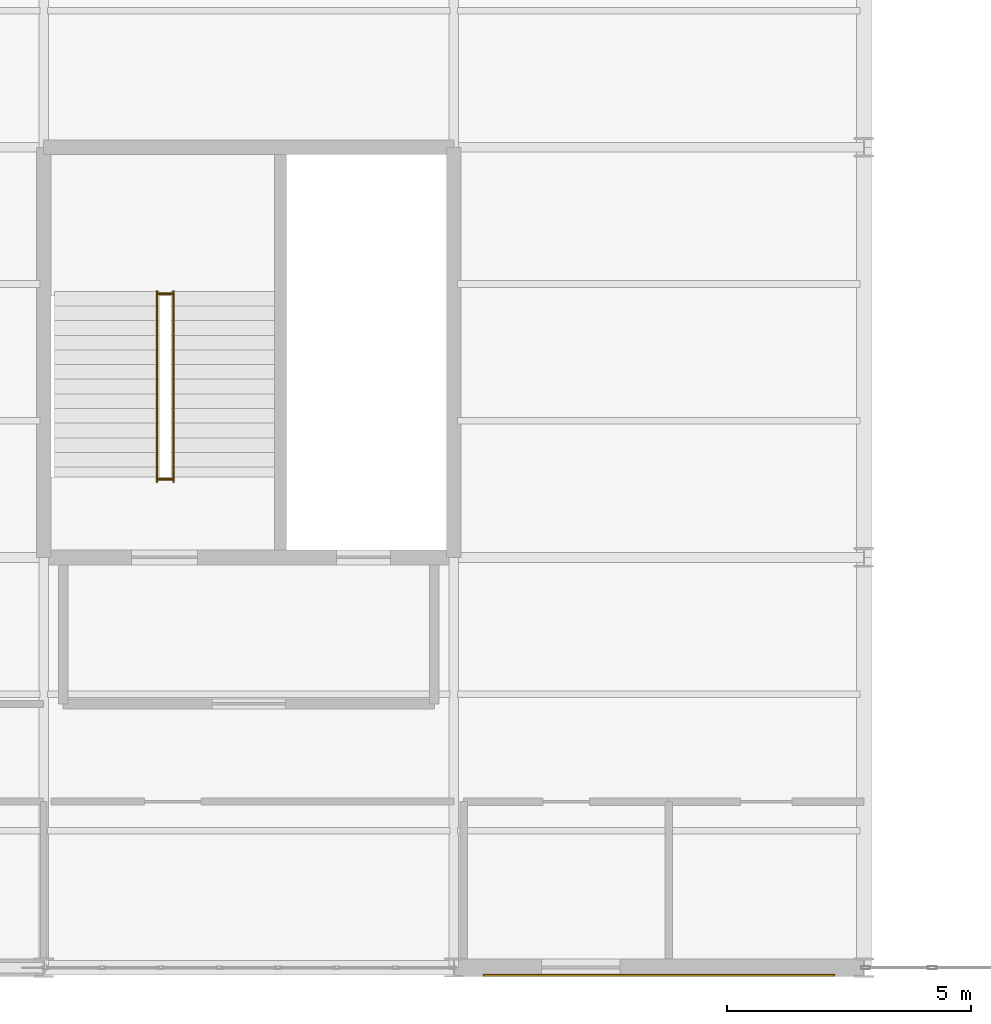
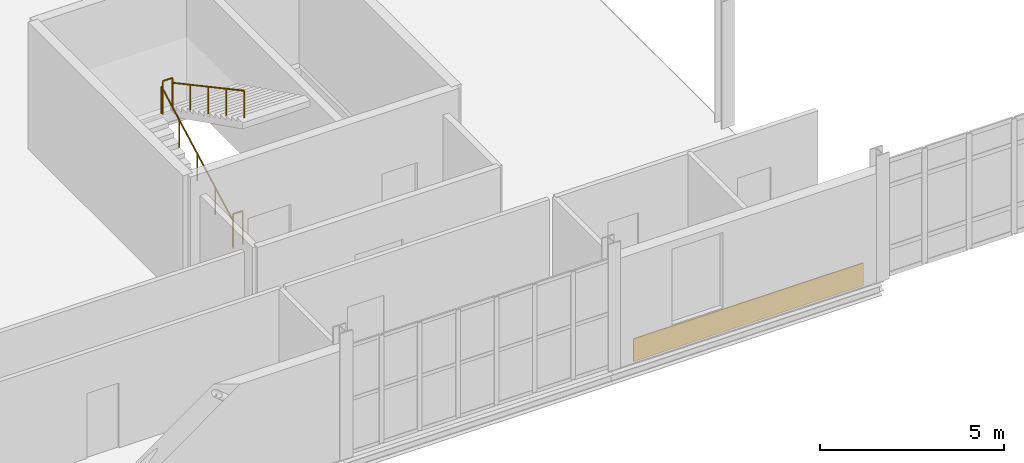
# One storey, part 154 of 163: 4 railings, 1 covering.
"""IFC4 building model written with IfcOpenShell, lengths in metres."""

from ifc_helpers import new_model, si_unit, direction, frame, origin, origin_2d, place, context, subcontext, project, spatial, rectangle, circle, extrude, material, layer, layer_set, type_object, element, save


model = new_model("IFC4")

# Units and contexts
model_context = context("Model", 3, precision=1e-05, world=origin(), true_north=direction((0.0, 1.0)))
body_context = subcontext(model_context, "Body", "Model", "MODEL_VIEW")
ifc_project = project(units=[si_unit("LENGTHUNIT", "METRE"), si_unit("AREAUNIT", "SQUARE_METRE"), si_unit("VOLUMEUNIT", "CUBIC_METRE"), si_unit("PLANEANGLEUNIT", "RADIAN"), si_unit("MASSUNIT", "GRAM", prefix="KILO")], contexts=[model_context])

# Site, building, storey
site_placement = place(None, origin())
site = spatial("IfcSite", under=ifc_project, at=site_placement, CompositionType="ELEMENT")
building_placement = place(site_placement, origin())
building = spatial("IfcBuilding", under=site, at=building_placement, Name="Qalvenar Corner Mobility Hub", CompositionType="ELEMENT")
storey_placement = place(building_placement, frame((0.0, 0.0, 4.800048828125)))
storey = spatial("IfcBuildingStorey", under=building, at=storey_placement, Name="L01", CompositionType="ELEMENT", Elevation=4.800048828125)

# Covering
ifc_material_1 = material(Name="Kashikari Glazed Turquoise Faience Tile Cladding", Category="masonry")
ifc_layer = layer(ifc_material_1, 0.034912109375)
ifc_layer_set = layer_set([ifc_layer], Name="Kashikari Glazed Turquoise Faience Tile Cladding")
covering_type = type_object("IfcCoveringType", Name="COV-CLAD-FAI", PredefinedType="CLADDING", material=ifc_layer_set)
covering_placement = place(storey_placement, frame((46.199951171875, -0.155029296875, 0.044921875), z_axis=(0.0, 0.0, 1.0), x_axis=(1.0, 0.0, 0.0)))
element("IfcCovering", 1, at=covering_placement, inside=storey, type_object=covering_type, Name="Kashikari Faience Spandrel V3-L01-S5", PredefinedType="CLADDING", context=body_context, shape_type="SweptSolid", body=[
    extrude(rectangle(XDim=7.199951171875, YDim=0.034912109375, at=origin_2d()), origin(), (0.0, 0.0, 1.0), 0.75),
])

# Railings
ifc_material_2 = material(Name="Art Nouveau Bronze-Finished Steel Balustrade", Category="steel")
railing_type_1 = type_object("IfcRailingType", Name="RL-GUARD-110", PredefinedType="GUARDRAIL", material=ifc_material_2)
for number, where, name in (
    (2, (35.93994140625, 10.0, 0.0), "Stair Arrival Slot Guard C2-L01"),
    (3, (35.93994140625, 13.800048828125, 2.099853515625), "Stair Half-Landing Well Guard ST2-L01"),
):
    element("IfcRailing", number, at=place(storey_placement, frame(where)), inside=storey, type_object=railing_type_1, Name=name, PredefinedType="GUARDRAIL", context=body_context, shape_type="SweptSolid", body=[
        extrude(circle(Radius=0.02392578125, at=origin_2d()), frame((0.0, 0.0, 1.09619140625), z_axis=(1.0, 0.0, 0.0), x_axis=(0.0, 1.0, 0.0)), (0.0, 0.0, 1.0), 0.300048828125),
        extrude(circle(Radius=0.02099609375, at=origin_2d()), origin(), (0.0, 0.0, 1.0), 1.072021484375),
        extrude(circle(Radius=0.02099609375, at=origin_2d()), frame((0.300048828125, 0.0, 0.0)), (0.0, 0.0, 1.0), 1.072021484375),
    ])
ifc_material_3 = material(Name="Brushed Stainless Steel Handrail", Category="steel")
railing_type_2 = type_object("IfcRailingType", Name="RL-HAND-092", PredefinedType="HANDRAIL", material=ifc_material_3)
railing_1_placement = place(storey_placement, frame((35.919921875, 9.949951171875, 0.0)))
element("IfcRailing", 4, at=railing_1_placement, inside=storey, type_object=railing_type_2, Name="Stair Handrail ST2-L01-1", PredefinedType="HANDRAIL", context=body_context, shape_type="SweptSolid", body=[
    extrude(circle(Radius=0.02392578125, at=origin_2d()), frame((0.0, 0.0, 0.89599609375), z_axis=(0.0, 0.88049233674, 0.474060381114), x_axis=(-1.0, 0.0, 0.0)), (0.0, 0.0, 1.0), 4.429443359375),
    extrude(circle(Radius=0.02099609375, at=origin_2d()), origin(), (0.0, 0.0, 1.0), 0.871826171875),
    extrude(circle(Radius=0.02099609375, at=origin_2d()), frame((0.0, 0.97509765625, 0.52490234375)), (0.0, 0.0, 1.0), 0.871826171875),
    extrude(circle(Radius=0.02099609375, at=origin_2d()), frame((0.0, 1.9501953125, 1.0498046875)), (0.0, 0.0, 1.0), 0.871826171875),
    extrude(circle(Radius=0.02099609375, at=origin_2d()), frame((0.0, 2.925048828125, 1.574951171875)), (0.0, 0.0, 1.0), 0.871826171875),
    extrude(circle(Radius=0.02099609375, at=origin_2d()), frame((0.0, 3.900146484375, 2.099853515625)), (0.0, 0.0, 1.0), 0.871826171875),
])
railing_2_placement = place(storey_placement, frame((36.260009765625, 13.85009765625, 2.099853515625)))
element("IfcRailing", 5, at=railing_2_placement, inside=storey, type_object=railing_type_2, Name="Stair Handrail ST2-L01-2", PredefinedType="HANDRAIL", context=body_context, shape_type="SweptSolid", body=[
    extrude(circle(Radius=0.02392578125, at=origin_2d()), frame((0.0, 0.0, 0.89599609375), z_axis=(0.0, -0.880469330154, 0.474103109733), x_axis=(1.0, 0.0, 0.0)), (0.0, 0.0, 1.0), 4.4296875),
    extrude(circle(Radius=0.02099609375, at=origin_2d()), origin(), (0.0, 0.0, 1.0), 0.871826171875),
    extrude(circle(Radius=0.02099609375, at=origin_2d()), frame((0.0, -0.97509765625, 0.52490234375)), (0.0, 0.0, 1.0), 0.871826171875),
    extrude(circle(Radius=0.02099609375, at=origin_2d()), frame((0.0, -1.9501953125, 1.050048828125)), (0.0, 0.0, 1.0), 0.871826171875),
    extrude(circle(Radius=0.02099609375, at=origin_2d()), frame((0.0, -2.925048828125, 1.5751953125)), (0.0, 0.0, 1.0), 0.871826171875),
    extrude(circle(Radius=0.02099609375, at=origin_2d()), frame((0.0, -3.900146484375, 2.10009765625)), (0.0, 0.0, 1.0), 0.871826171875),
])

save(model, "model.ifc")
